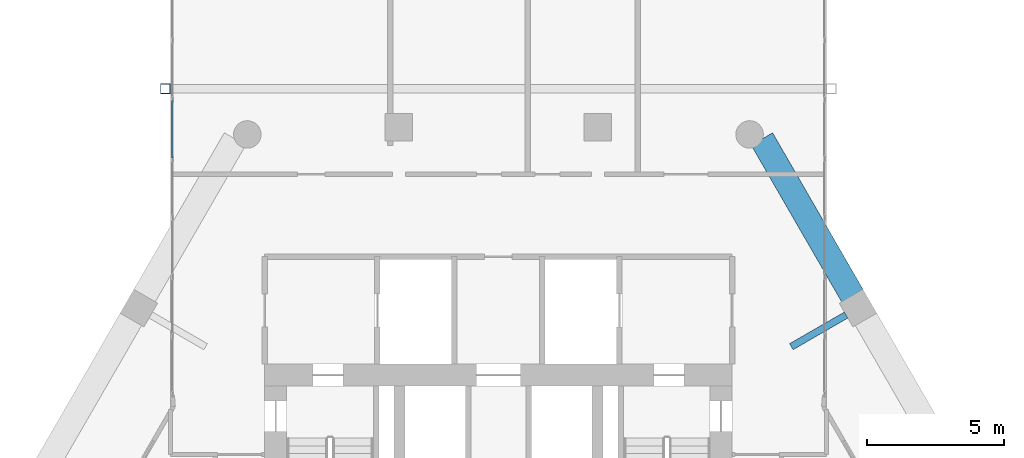
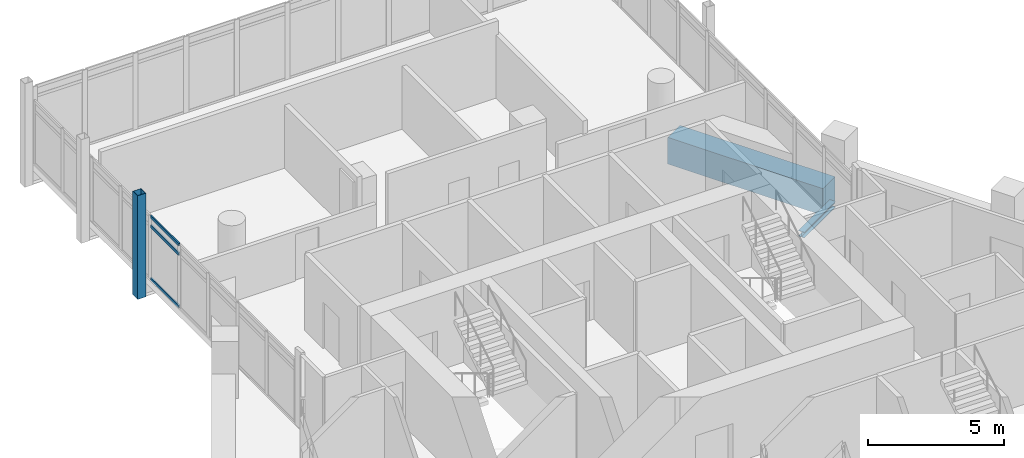
# One storey, part 14 of 29: 4 members, 2 beams, 1 element without a shape of its own.
"""IFC4 building model written with IfcOpenShell, lengths in metres."""

from ifc_helpers import new_model, si_unit, direction, frame, origin, origin_2d, place, context, subcontext, project, spatial, rectangle, hollow_rectangle, i_section, extrude, material, material_profile, profile_set, type_object, element, aggregate, save


model = new_model("IFC4")

# Units and contexts
model_context = context("Model", 3, precision=1e-05, world=origin(), true_north=direction((0.0, 1.0)))
body_context = subcontext(model_context, "Body", "Model", "MODEL_VIEW")
ifc_project = project(units=[si_unit("LENGTHUNIT", "METRE"), si_unit("AREAUNIT", "SQUARE_METRE"), si_unit("VOLUMEUNIT", "CUBIC_METRE"), si_unit("PLANEANGLEUNIT", "RADIAN"), si_unit("MASSUNIT", "GRAM", prefix="KILO")], contexts=[model_context])

# Site, building, storey
site_placement = place(None, origin())
site = spatial("IfcSite", under=ifc_project, at=site_placement, CompositionType="ELEMENT")
building_placement = place(site_placement, origin())
building = spatial("IfcBuilding", under=site, at=building_placement, Name="Ostrander Bayou Hotel Tower", CompositionType="ELEMENT")
storey_placement = place(building_placement, frame((0.0, 0.0, 205.75)))
storey = spatial("IfcBuildingStorey", under=building, at=storey_placement, Name="L51", CompositionType="ELEMENT", Elevation=205.75)

# Curtain wall, members
ifc_material_1 = material(Name="Aluminium and clear glass", Category="aluminium")
curtain_wall_type = type_object("IfcCurtainWallType", Name="CW-BAR glazed wall", PredefinedType="NOTDEFINED", material=ifc_material_1)
curtain_wall_placement = place(storey_placement, origin())
curtain_wall = element("IfcCurtainWall", 1, at=curtain_wall_placement, inside=storey, type_object=curtain_wall_type, Name="CW-BAR L51:SB4N:E", PredefinedType="NOTDEFINED")
ifc_material_2 = material(Name="Aluminium", Category="aluminium")
ifc_material_profile_1 = material_profile(ifc_material_2, hollow_rectangle(XDim=0.06005859375, YDim=0.1298828125, WallThickness=0.00390625, at=origin_2d()))
ifc_profile_set_1 = profile_set([ifc_material_profile_1], Name="Aluminium")
member_type_1 = type_object("IfcMemberType", Name="CW-BR transom 60 x 130 mm", PredefinedType="USERDEFINED", material=ifc_profile_set_1)
member_1_placement = place(storey_placement, frame((-11.857177734375, 17.195068359375, 0.030029296875), z_axis=(0.0, 1.0, 0.0), x_axis=(-1.0, 0.0, 0.0)))
member_1 = element("IfcMember", 2, at=member_1_placement, type_object=member_type_1, Name="CW-BAR transom 5.1", ObjectType="TRANSOM", PredefinedType="USERDEFINED", context=body_context, shape_type="SweptSolid", body=[
    extrude(hollow_rectangle(XDim=0.06005859375, YDim=0.1298828125, WallThickness=0.00390625, at=origin_2d()), origin(), (0.0, 0.0, 1.0), 2.09033203125),
])
member_2_placement = place(storey_placement, frame((-11.857177734375, 17.195068359375, 2.39990234375), z_axis=(0.0, 1.0, 0.0), x_axis=(-1.0, 0.0, 0.0)))
member_2 = element("IfcMember", 3, at=member_2_placement, type_object=member_type_1, Name="CW-BAR transom 5.2", ObjectType="TRANSOM", PredefinedType="USERDEFINED", context=body_context, shape_type="SweptSolid", body=[
    extrude(hollow_rectangle(XDim=0.06005859375, YDim=0.1298828125, WallThickness=0.00390625, at=origin_2d()), origin(), (0.0, 0.0, 1.0), 2.09033203125),
])
member_3_placement = place(storey_placement, frame((-11.857177734375, 17.195068359375, 2.820068359375), z_axis=(0.0, 1.0, 0.0), x_axis=(-1.0, 0.0, 0.0)))
member_3 = element("IfcMember", 4, at=member_3_placement, type_object=member_type_1, Name="CW-BAR transom 5.3", ObjectType="TRANSOM", PredefinedType="USERDEFINED", context=body_context, shape_type="SweptSolid", body=[
    extrude(hollow_rectangle(XDim=0.06005859375, YDim=0.1298828125, WallThickness=0.00390625, at=origin_2d()), origin(), (0.0, 0.0, 1.0), 2.09033203125),
])
aggregate(curtain_wall, [member_1, member_2, member_3])

# Beams
ifc_material_3 = material(Name="Steel ASTM A992", Category="steel")
ifc_material_profile_2 = material_profile(ifc_material_3, i_section(OverallWidth=0.25390625, OverallDepth=0.25341796875, WebThickness=0.008544921875, FlangeThickness=0.01416015625, at=origin_2d()))
ifc_profile_set_2 = profile_set([ifc_material_profile_2], Name="Steel ASTM A992")
beam_type_1 = type_object("IfcBeamType", Name="LB2 loggia bracket W10x49", PredefinedType="BEAM", material=ifc_profile_set_2)
beam_1_placement = place(storey_placement, frame((12.642578125, 11.476806640625, -0.4267578125), z_axis=(-0.866053019151, -0.499952165731, 0.0), x_axis=(0.499952165731, -0.866053019151, 0.0)))
element("IfcBeam", 5, at=beam_1_placement, inside=storey, type_object=beam_type_1, Name="LB2 L51 NE2", PredefinedType="BEAM", context=body_context, shape_type="SweptSolid", body=[
    extrude(i_section(OverallWidth=0.25390625, OverallDepth=0.25341796875, WebThickness=0.008544921875, FlangeThickness=0.01416015625, at=origin_2d()), origin(), (0.0, 0.0, 1.0), 2.300048828125),
])
ifc_material_4 = material(Name="Concrete f'c 60 MPa", Category="concrete")
ifc_material_profile_3 = material_profile(ifc_material_4, rectangle(XDim=0.89990234375, YDim=1.199951171875, at=origin_2d()))
ifc_profile_set_3 = profile_set([ifc_material_profile_3], Name="Concrete f'c 60 MPa")
beam_type_2 = type_object("IfcBeamType", Name="SP3 spandrel beam 900 x 1200 mm f'c 60 MPa", PredefinedType="SPANDREL", material=ifc_profile_set_3)
beam_2_placement = place(storey_placement, frame((12.8837890625, 12.158935546875, -0.60009765625), z_axis=(-0.499994358189, 0.866028661061, 0.0), x_axis=(-0.866028661061, -0.499994358189, 0.0)))
element("IfcBeam", 6, at=beam_2_placement, inside=storey, type_object=beam_type_2, Name="SP3 L51 NE-3", PredefinedType="SPANDREL", context=body_context, shape_type="SweptSolid", body=[
    extrude(rectangle(XDim=0.89990234375, YDim=1.199951171875, at=origin_2d()), origin(), (0.0, 0.0, 1.0), 6.6064453125),
])

# Member
ifc_material_5 = material(Name="Steel ASTM A500 Gr C", Category="steel")
ifc_material_profile_4 = material_profile(ifc_material_5, hollow_rectangle(XDim=0.355712890625, YDim=0.355712890625, WallThickness=0.0146484375, at=origin_2d()))
ifc_profile_set_4 = profile_set([ifc_material_profile_4], Name="Steel ASTM A500 Gr C")
member_type_2 = type_object("IfcMemberType", Name="TH1 bar hanger HSS14x14x5/8", PredefinedType="POST", material=ifc_profile_set_4)
member_4_placement = place(storey_placement, frame((-12.110107421875, 19.706787109375, -0.9111328125), z_axis=(0.0, 0.0, 1.0), x_axis=(1.0, 0.0, 0.0)))
element("IfcMember", 7, at=member_4_placement, inside=storey, type_object=member_type_2, Name="TH1 SB4WA H3-4", PredefinedType="POST", context=body_context, shape_type="SweptSolid", body=[
    extrude(hollow_rectangle(XDim=0.355712890625, YDim=0.355712890625, WallThickness=0.0146484375, at=origin_2d()), origin(), (0.0, 0.0, 1.0), 4.6611328125),
])

save(model, "model.ifc")
